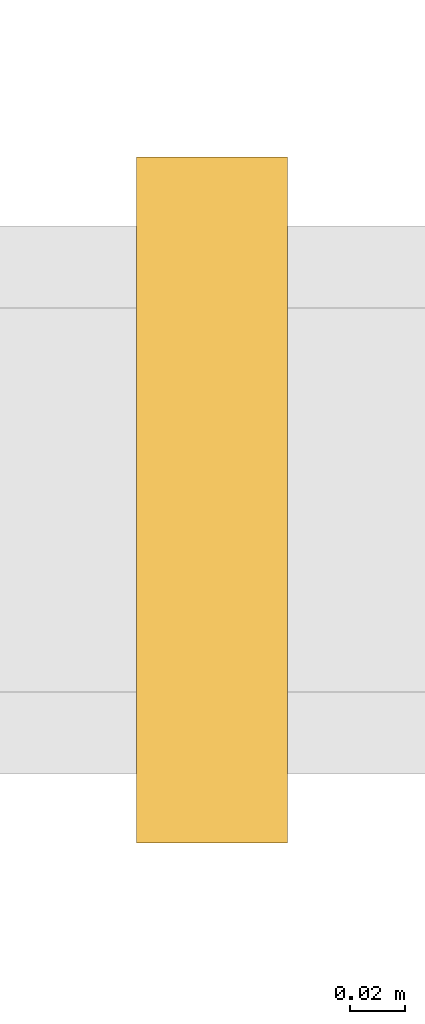
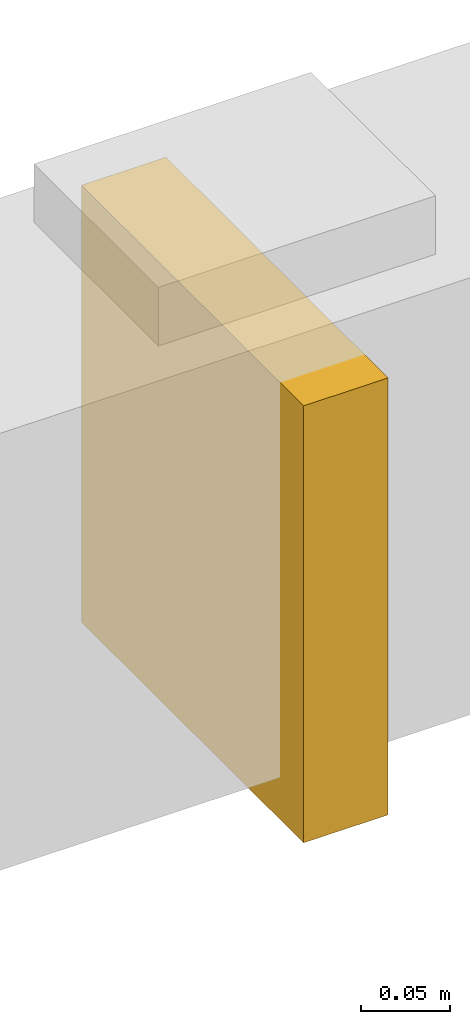
# One storey, part 120 of 120: 1 shading device.
"""IFC4 building model written with IfcOpenShell, lengths in metres."""

from ifc_helpers import new_model, si_unit, direction, frame, origin, origin_2d, place, context, subcontext, project, spatial, rectangle, extrude, material, type_object, element, save


model = new_model("IFC4")

# Units and contexts
model_context = context("Model", 3, precision=1e-05, world=origin(), true_north=direction((0.0, 1.0)))
body_context = subcontext(model_context, "Body", "Model", "MODEL_VIEW")
ifc_project = project(units=[si_unit("LENGTHUNIT", "METRE"), si_unit("AREAUNIT", "SQUARE_METRE"), si_unit("VOLUMEUNIT", "CUBIC_METRE"), si_unit("PLANEANGLEUNIT", "RADIAN"), si_unit("MASSUNIT", "GRAM", prefix="KILO")], contexts=[model_context])

# Site, building, storey
site_placement = place(None, origin())
site = spatial("IfcSite", under=ifc_project, at=site_placement, CompositionType="ELEMENT")
building_placement = place(site_placement, origin())
building = spatial("IfcBuilding", under=site, at=building_placement, Name="Corveleigh Park Community Centre", CompositionType="ELEMENT")
storey_placement = place(building_placement, origin())
storey = spatial("IfcBuildingStorey", under=building, at=storey_placement, Name="L00", CompositionType="ELEMENT", Elevation=0.0)

# Shading device
ifc_material = material(Name="Anodised aluminium 6063-T6", Category="aluminium")
shading_device_type = type_object("IfcShadingDeviceType", Name="SHD-LVR-ALU-250", PredefinedType="USERDEFINED", material=ifc_material)
shading_device_placement = place(storey_placement, frame((108.0, 72.800048828125, 4.25), z_axis=(0.0, 0.0, 1.0), x_axis=(1.0, 0.0, 0.0)))
element("IfcShadingDevice", 1, at=shading_device_placement, inside=storey, type_object=shading_device_type, Name="Courtyard canopy louvre 7", ObjectType="LOUVRE", PredefinedType="USERDEFINED", context=body_context, shape_type="SweptSolid", body=[
    extrude(rectangle(XDim=0.054931640625, YDim=0.25, at=origin_2d()), origin(), (0.0, 0.0, 1.0), 0.300048828125),
])

save(model, "model.ifc")
